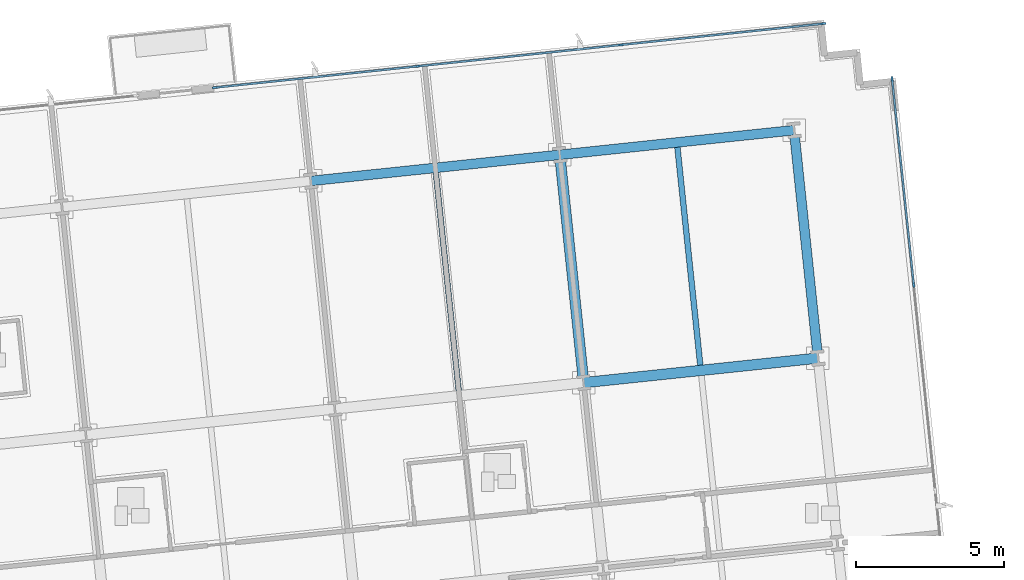
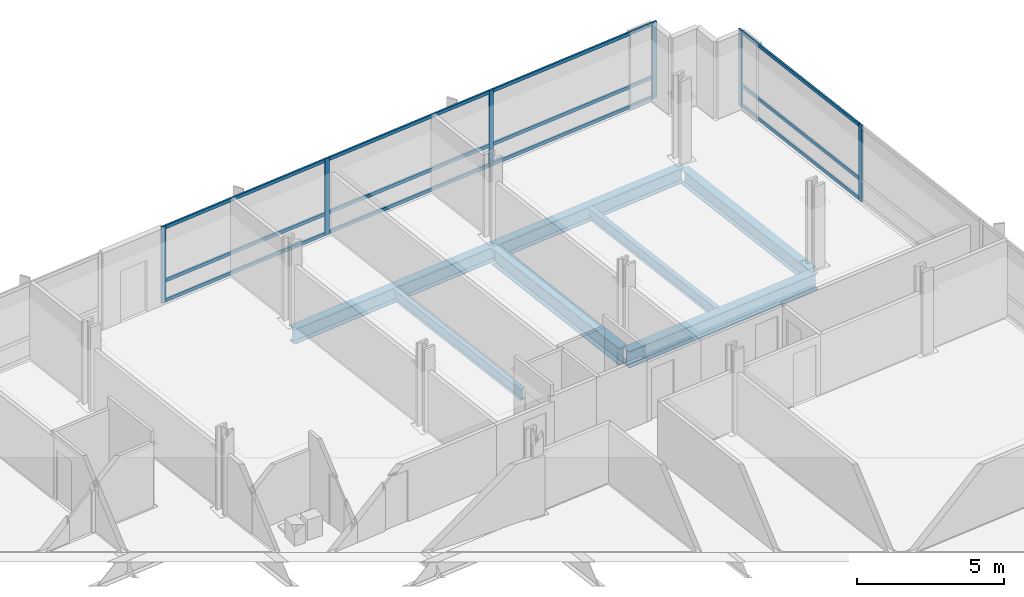
# One storey, part 8 of 20: 18 members, 7 beams, 2 elements without a shape of their own.
"""IFC4 building model written with IfcOpenShell, lengths in metres."""

from ifc_helpers import new_model, si_unit, direction, frame, origin, origin_2d, place, context, subcontext, project, spatial, rectangle, i_section, extrude, material, material_profile, profile_set, type_object, element, aggregate, save


model = new_model("IFC4")

# Units and contexts
model_context = context("Model", 3, precision=1e-05, world=origin(), true_north=direction((0.0, 1.0)))
body_context = subcontext(model_context, "Body", "Model", "MODEL_VIEW")
ifc_project = project(units=[si_unit("LENGTHUNIT", "METRE"), si_unit("AREAUNIT", "SQUARE_METRE"), si_unit("VOLUMEUNIT", "CUBIC_METRE"), si_unit("PLANEANGLEUNIT", "RADIAN"), si_unit("MASSUNIT", "GRAM", prefix="KILO")], contexts=[model_context])

# Site, building, storey
site_placement = place(None, origin())
site = spatial("IfcSite", under=ifc_project, at=site_placement, CompositionType="ELEMENT")
building_placement = place(site_placement, origin())
building = spatial("IfcBuilding", under=site, at=building_placement, Name="Solmavex Isthmus Hotel", CompositionType="ELEMENT")
storey_placement = place(building_placement, frame((0.0, 0.0, 87.0)))
storey = spatial("IfcBuildingStorey", under=building, at=storey_placement, Name="L23", CompositionType="ELEMENT", Elevation=87.0)

# Beams
ifc_material_1 = material(Name="Steel ASTM A992 Grade 50", Category="steel")
ifc_material_profile_1 = material_profile(ifc_material_1, i_section(OverallWidth=0.354736328125, OverallDepth=0.695556640625, WebThickness=0.015380859375, FlangeThickness=0.02490234375, FilletRadius=0.017822265625, at=origin_2d()), Name="W27X146")
ifc_profile_set_1 = profile_set([ifc_material_profile_1], Name="Steel ASTM A992 Grade 50")
beam_type_1 = type_object("IfcBeamType", Name="BM-BG-W27X146", PredefinedType="BEAM", material=ifc_profile_set_1)
beam_1_placement = place(storey_placement, frame((20.5615234375, 11.921875, -0.607666015625), z_axis=(0.994523402738, 0.104514120609, 0.0), x_axis=(-0.104514120609, 0.994523402738, 0.0)))
element("IfcBeam", 1, at=beam_1_placement, inside=storey, type_object=beam_type_1, Name="Floor Girder L23-UG18", PredefinedType="BEAM", context=body_context, shape_type="SweptSolid", body=[
    extrude(i_section(OverallWidth=0.354736328125, OverallDepth=0.695556640625, WebThickness=0.015380859375, FlangeThickness=0.02490234375, FilletRadius=0.017822265625, at=origin_2d()), origin(), (0.0, 0.0, 1.0), 7.968017578125),
])
beam_2_placement = place(storey_placement, frame((20.54296875, 12.098388671875, -0.607666015625), z_axis=(-0.1045578893, 0.994518802128, 0.0), x_axis=(-0.994518802128, -0.1045578893, 0.0)))
element("IfcBeam", 2, at=beam_2_placement, inside=storey, type_object=beam_type_1, Name="Floor Beam L23-VG45", PredefinedType="BEAM", context=body_context, shape_type="SweptSolid", body=[
    extrude(i_section(OverallWidth=0.354736328125, OverallDepth=0.695556640625, WebThickness=0.015380859375, FlangeThickness=0.02490234375, FilletRadius=0.017822265625, at=origin_2d()), origin(), (0.0, 0.0, 1.0), 7.4111328125),
])
ifc_material_profile_2 = material_profile(ifc_material_1, i_section(OverallWidth=0.1904296875, OverallDepth=0.456787109375, WebThickness=0.009033203125, FlangeThickness=0.014404296875, FilletRadius=0.0126953125, at=origin_2d()), Name="W18X50")
ifc_profile_set_2 = profile_set([ifc_material_profile_2], Name="Steel ASTM A992 Grade 50")
beam_type_2 = type_object("IfcBeamType", Name="BM-BJ-W18X50", PredefinedType="JOIST", material=ifc_profile_set_2)
for number, where, z_axis, x_axis, name in (
    (3, (16.3330078125, 11.65576171875, -0.488525390625), (-0.10452188296, 0.994522586964, 0.0), (-0.994522586964, -0.10452188296, 0.0), "Secondary Floor Joist L23-J18"),
    (4, (24.505126953125, 12.5146484375, -0.488525390625), (-0.10452188296, 0.994522586964, 0.0), (-0.994522586964, -0.10452188296, 0.0), "Secondary Floor Joist L23-J21"),
):
    element("IfcBeam", number, at=place(storey_placement, frame(where, z_axis=z_axis, x_axis=x_axis)), inside=storey, type_object=beam_type_2, Name=name, PredefinedType="JOIST", context=body_context, shape_type="SweptSolid", body=[
        extrude(i_section(OverallWidth=0.1904296875, OverallDepth=0.456787109375, WebThickness=0.009033203125, FlangeThickness=0.014404296875, FilletRadius=0.0126953125, at=origin_2d()), origin(), (0.0, 0.0, 1.0), 7.411376953125),
    ])
ifc_material_profile_3 = material_profile(ifc_material_1, i_section(OverallWidth=0.326416015625, OverallDepth=0.621826171875, WebThickness=0.015380859375, FlangeThickness=0.0244140625, FilletRadius=0.01513671875, at=origin_2d()), Name="W24X131")
ifc_profile_set_3 = profile_set([ifc_material_profile_3], Name="Steel ASTM A992 Grade 50")
beam_type_3 = type_object("IfcBeamType", Name="BM-SP-W24X131", PredefinedType="SPANDREL", material=ifc_profile_set_3)
beam_3_placement = place(storey_placement, frame((11.33154296875, 18.74658203125, -0.57080078125), z_axis=(0.994524082861, 0.104507648572, 0.0), x_axis=(-0.104507648572, 0.994524082861, 0.0)))
element("IfcBeam", 5, at=beam_3_placement, inside=storey, type_object=beam_type_3, Name="Floor Girder L23-UG23", PredefinedType="SPANDREL", context=body_context, shape_type="SweptSolid", body=[
    extrude(i_section(OverallWidth=0.326416015625, OverallDepth=0.621826171875, WebThickness=0.015380859375, FlangeThickness=0.0244140625, FilletRadius=0.01513671875, at=origin_2d()), origin(), (0.0, 0.0, 1.0), 8.466064453125),
])
beam_4_placement = place(storey_placement, frame((19.751220703125, 19.63134765625, -0.57080078125), z_axis=(0.994520217478, 0.10454442609, 0.0), x_axis=(-0.10454442609, 0.994520217478, 0.0)))
element("IfcBeam", 6, at=beam_4_placement, inside=storey, type_object=beam_type_3, Name="Floor Girder L23-UG24", PredefinedType="SPANDREL", context=body_context, shape_type="SweptSolid", body=[
    extrude(i_section(OverallWidth=0.326416015625, OverallDepth=0.621826171875, WebThickness=0.015380859375, FlangeThickness=0.0244140625, FilletRadius=0.01513671875, at=origin_2d()), origin(), (0.0, 0.0, 1.0), 7.968017578125),
])
beam_5_placement = place(storey_placement, frame((28.46728515625, 12.93115234375, -0.57080078125), z_axis=(-0.10452188296, 0.994522586964, 0.0), x_axis=(-0.994522586964, -0.10452188296, 0.0)))
element("IfcBeam", 7, at=beam_5_placement, inside=storey, type_object=beam_type_3, Name="Floor Beam L23-VG48", PredefinedType="SPANDREL", context=body_context, shape_type="SweptSolid", body=[
    extrude(i_section(OverallWidth=0.326416015625, OverallDepth=0.621826171875, WebThickness=0.015380859375, FlangeThickness=0.0244140625, FilletRadius=0.01513671875, at=origin_2d()), origin(), (0.0, 0.0, 1.0), 7.411376953125),
])

# Curtain wall, members
ifc_material_2 = material(Name="Aluminium alloy 6063-T6", Category="aluminium")
curtain_wall_type = type_object("IfcCurtainWallType", Name="CW-SYS-03", PredefinedType="NOTDEFINED", material=ifc_material_2)
curtain_wall_1_placement = place(storey_placement, origin())
curtain_wall_1 = element("IfcCurtainWall", 8, at=curtain_wall_1_placement, inside=storey, type_object=curtain_wall_type, Name="Stick Curtain Wall CWL-L23-N3", PredefinedType="NOTDEFINED")
ifc_material_profile_4 = material_profile(ifc_material_2, rectangle(XDim=0.070068359375, YDim=0.179931640625, at=origin_2d()), Name="CWM-70X180")
ifc_profile_set_4 = profile_set([ifc_material_profile_4], Name="Aluminium alloy 6063-T6")
member_type_1 = type_object("IfcMemberType", Name="CW-SYS-03-MUL", PredefinedType="MULLION", material=ifc_profile_set_4)
member_1_placement = place(storey_placement, frame((8.085693359375, 21.904541015625, 0.0), z_axis=(0.0, 0.0, 1.0), x_axis=(-0.10452837063, 0.994521905105, 0.0)))
member_1 = element("IfcMember", 9, at=member_1_placement, type_object=member_type_1, Name="CW-03 mullion 1", PredefinedType="MULLION", context=body_context, shape_type="SweptSolid", body=[
    extrude(rectangle(XDim=0.070068359375, YDim=0.179931640625, at=origin_2d()), origin(), (0.0, 0.0, 1.0), 3.18994140625),
])
member_2_placement = place(storey_placement, frame((14.935302734375, 22.62451171875, 0.0), z_axis=(0.0, 0.0, 1.0), x_axis=(-0.10452837063, 0.994521905105, 0.0)))
member_2 = element("IfcMember", 10, at=member_2_placement, type_object=member_type_1, Name="CW-03 mullion 2", PredefinedType="MULLION", context=body_context, shape_type="SweptSolid", body=[
    extrude(rectangle(XDim=0.070068359375, YDim=0.179931640625, at=origin_2d()), origin(), (0.0, 0.0, 1.0), 3.18994140625),
])
member_3_placement = place(storey_placement, frame((21.819580078125, 23.347900390625, 0.0), z_axis=(0.0, 0.0, 1.0), x_axis=(-0.10452837063, 0.994521905105, 0.0)))
member_3 = element("IfcMember", 11, at=member_3_placement, type_object=member_type_1, Name="CW-03 mullion 3", PredefinedType="MULLION", context=body_context, shape_type="SweptSolid", body=[
    extrude(rectangle(XDim=0.070068359375, YDim=0.179931640625, at=origin_2d()), origin(), (0.0, 0.0, 1.0), 3.18994140625),
])
member_4_placement = place(storey_placement, frame((28.669189453125, 24.06787109375, 0.0), z_axis=(0.0, 0.0, 1.0), x_axis=(-0.10452837063, 0.994521905105, 0.0)))
member_4 = element("IfcMember", 12, at=member_4_placement, type_object=member_type_1, Name="CW-03 mullion 4", PredefinedType="MULLION", context=body_context, shape_type="SweptSolid", body=[
    extrude(rectangle(XDim=0.070068359375, YDim=0.179931640625, at=origin_2d()), origin(), (0.0, 0.0, 1.0), 3.18994140625),
])

curtain_wall_2_placement = place(storey_placement, origin())
curtain_wall_2 = element("IfcCurtainWall", 13, at=curtain_wall_2_placement, inside=storey, type_object=curtain_wall_type, Name="Stick Curtain Wall CWL-L23-E1", PredefinedType="NOTDEFINED")
member_5_placement = place(storey_placement, frame((31.723876953125, 15.23876953125, 0.0), z_axis=(0.0, 0.0, 1.0), x_axis=(-0.994521893044, -0.104528485381, 0.0)))
member_5 = element("IfcMember", 14, at=member_5_placement, type_object=member_type_1, Name="CW-03 mullion 5", PredefinedType="MULLION", context=body_context, shape_type="SweptSolid", body=[
    extrude(rectangle(XDim=0.070068359375, YDim=0.179931640625, at=origin_2d()), origin(), (0.0, 0.0, 1.0), 3.18994140625),
])
member_6_placement = place(storey_placement, frame((30.99365234375, 22.185546875, 0.0), z_axis=(0.0, 0.0, 1.0), x_axis=(-0.994521893044, -0.104528485381, 0.0)))
member_6 = element("IfcMember", 15, at=member_6_placement, type_object=member_type_1, Name="CW-03 mullion 6", PredefinedType="MULLION", context=body_context, shape_type="SweptSolid", body=[
    extrude(rectangle(XDim=0.070068359375, YDim=0.179931640625, at=origin_2d()), origin(), (0.0, 0.0, 1.0), 3.18994140625),
])

# Member
ifc_material_profile_5 = material_profile(ifc_material_2, rectangle(XDim=0.070068359375, YDim=0.139892578125, at=origin_2d()), Name="CWT-70X140")
ifc_profile_set_5 = profile_set([ifc_material_profile_5], Name="Aluminium alloy 6063-T6")
member_type_2 = type_object("IfcMemberType", Name="CW-SYS-03-TRN", PredefinedType="USERDEFINED", material=ifc_profile_set_5)
member_7_placement = place(storey_placement, frame((8.120361328125, 21.908203125, 0.070068359375), z_axis=(0.99452133588, 0.104533786303, 0.0), x_axis=(-0.104533786303, 0.99452133588, 0.0)))
member_7 = element("IfcMember", 16, at=member_7_placement, type_object=member_type_2, Name="CW-03 transom 1.1", ObjectType="TRANSOM", PredefinedType="USERDEFINED", context=body_context, shape_type="SweptSolid", body=[
    extrude(rectangle(XDim=0.070068359375, YDim=0.139892578125, at=origin_2d()), origin(), (0.0, 0.0, 1.0), 6.8173828125),
])

member_8_placement = place(storey_placement, frame((8.120361328125, 21.908203125, 0.89990234375), z_axis=(0.99452133588, 0.104533786303, 0.0), x_axis=(-0.104533786303, 0.99452133588, 0.0)))
member_8 = element("IfcMember", 17, at=member_8_placement, type_object=member_type_2, Name="CW-03 transom 1.2", ObjectType="TRANSOM", PredefinedType="USERDEFINED", context=body_context, shape_type="SweptSolid", body=[
    extrude(rectangle(XDim=0.070068359375, YDim=0.139892578125, at=origin_2d()), origin(), (0.0, 0.0, 1.0), 6.8173828125),
])

member_9_placement = place(storey_placement, frame((8.120361328125, 21.908203125, 3.1201171875), z_axis=(0.99452133588, 0.104533786303, 0.0), x_axis=(-0.104533786303, 0.99452133588, 0.0)))
member_9 = element("IfcMember", 18, at=member_9_placement, type_object=member_type_2, Name="CW-03 transom 1.3", ObjectType="TRANSOM", PredefinedType="USERDEFINED", context=body_context, shape_type="SweptSolid", body=[
    extrude(rectangle(XDim=0.070068359375, YDim=0.139892578125, at=origin_2d()), origin(), (0.0, 0.0, 1.0), 6.8173828125),
])

member_10_placement = place(storey_placement, frame((14.969970703125, 22.628173828125, 0.070068359375), z_axis=(0.994525152797, 0.104497466259, 0.0), x_axis=(-0.104497466259, 0.994525152797, 0.0)))
member_10 = element("IfcMember", 19, at=member_10_placement, type_object=member_type_2, Name="CW-03 transom 2.1", ObjectType="TRANSOM", PredefinedType="USERDEFINED", context=body_context, shape_type="SweptSolid", body=[
    extrude(rectangle(XDim=0.070068359375, YDim=0.139892578125, at=origin_2d()), origin(), (0.0, 0.0, 1.0), 6.8525390625),
])

member_11_placement = place(storey_placement, frame((14.969970703125, 22.628173828125, 0.89990234375), z_axis=(0.994525152797, 0.104497466259, 0.0), x_axis=(-0.104497466259, 0.994525152797, 0.0)))
member_11 = element("IfcMember", 20, at=member_11_placement, type_object=member_type_2, Name="CW-03 transom 2.2", ObjectType="TRANSOM", PredefinedType="USERDEFINED", context=body_context, shape_type="SweptSolid", body=[
    extrude(rectangle(XDim=0.070068359375, YDim=0.139892578125, at=origin_2d()), origin(), (0.0, 0.0, 1.0), 6.8525390625),
])

member_12_placement = place(storey_placement, frame((14.969970703125, 22.628173828125, 3.1201171875), z_axis=(0.994525152797, 0.104497466259, 0.0), x_axis=(-0.104497466259, 0.994525152797, 0.0)))
member_12 = element("IfcMember", 21, at=member_12_placement, type_object=member_type_2, Name="CW-03 transom 2.3", ObjectType="TRANSOM", PredefinedType="USERDEFINED", context=body_context, shape_type="SweptSolid", body=[
    extrude(rectangle(XDim=0.070068359375, YDim=0.139892578125, at=origin_2d()), origin(), (0.0, 0.0, 1.0), 6.8525390625),
])

member_13_placement = place(storey_placement, frame((21.8544921875, 23.3515625, 0.070068359375), z_axis=(0.99452133588, 0.104533786303, 0.0), x_axis=(-0.104533786303, 0.99452133588, 0.0)))
member_13 = element("IfcMember", 22, at=member_13_placement, type_object=member_type_2, Name="CW-03 transom 3.1", ObjectType="TRANSOM", PredefinedType="USERDEFINED", context=body_context, shape_type="SweptSolid", body=[
    extrude(rectangle(XDim=0.070068359375, YDim=0.139892578125, at=origin_2d()), origin(), (0.0, 0.0, 1.0), 6.8173828125),
])

member_14_placement = place(storey_placement, frame((21.8544921875, 23.3515625, 0.89990234375), z_axis=(0.99452133588, 0.104533786303, 0.0), x_axis=(-0.104533786303, 0.99452133588, 0.0)))
member_14 = element("IfcMember", 23, at=member_14_placement, type_object=member_type_2, Name="CW-03 transom 3.2", ObjectType="TRANSOM", PredefinedType="USERDEFINED", context=body_context, shape_type="SweptSolid", body=[
    extrude(rectangle(XDim=0.070068359375, YDim=0.139892578125, at=origin_2d()), origin(), (0.0, 0.0, 1.0), 6.8173828125),
])

member_15_placement = place(storey_placement, frame((21.8544921875, 23.3515625, 3.1201171875), z_axis=(0.99452133588, 0.104533786303, 0.0), x_axis=(-0.104533786303, 0.99452133588, 0.0)))
member_15 = element("IfcMember", 24, at=member_15_placement, type_object=member_type_2, Name="CW-03 transom 3.3", ObjectType="TRANSOM", PredefinedType="USERDEFINED", context=body_context, shape_type="SweptSolid", body=[
    extrude(rectangle(XDim=0.070068359375, YDim=0.139892578125, at=origin_2d()), origin(), (0.0, 0.0, 1.0), 6.8173828125),
])

aggregate(curtain_wall_1, [member_1, member_2, member_3, member_4, member_7, member_8, member_9, member_10, member_11, member_12, member_13, member_14, member_15])

member_16_placement = place(storey_placement, frame((31.72021484375, 15.273681640625, 0.070068359375), z_axis=(-0.104539595565, 0.994520725254, 0.0), x_axis=(-0.994520725254, -0.104539595565, 0.0)))
member_16 = element("IfcMember", 25, at=member_16_placement, type_object=member_type_2, Name="CW-03 transom 5.1", ObjectType="TRANSOM", PredefinedType="USERDEFINED", context=body_context, shape_type="SweptSolid", body=[
    extrude(rectangle(XDim=0.070068359375, YDim=0.139892578125, at=origin_2d()), origin(), (0.0, 0.0, 1.0), 6.9150390625),
])

member_17_placement = place(storey_placement, frame((31.72021484375, 15.273681640625, 0.89990234375), z_axis=(-0.104539595565, 0.994520725254, 0.0), x_axis=(-0.994520725254, -0.104539595565, 0.0)))
member_17 = element("IfcMember", 26, at=member_17_placement, type_object=member_type_2, Name="CW-03 transom 5.2", ObjectType="TRANSOM", PredefinedType="USERDEFINED", context=body_context, shape_type="SweptSolid", body=[
    extrude(rectangle(XDim=0.070068359375, YDim=0.139892578125, at=origin_2d()), origin(), (0.0, 0.0, 1.0), 6.9150390625),
])

member_18_placement = place(storey_placement, frame((31.72021484375, 15.273681640625, 3.1201171875), z_axis=(-0.104539595565, 0.994520725254, 0.0), x_axis=(-0.994520725254, -0.104539595565, 0.0)))
member_18 = element("IfcMember", 27, at=member_18_placement, type_object=member_type_2, Name="CW-03 transom 5.3", ObjectType="TRANSOM", PredefinedType="USERDEFINED", context=body_context, shape_type="SweptSolid", body=[
    extrude(rectangle(XDim=0.070068359375, YDim=0.139892578125, at=origin_2d()), origin(), (0.0, 0.0, 1.0), 6.9150390625),
])

aggregate(curtain_wall_2, [member_5, member_6, member_16, member_17, member_18])

save(model, "model.ifc")
